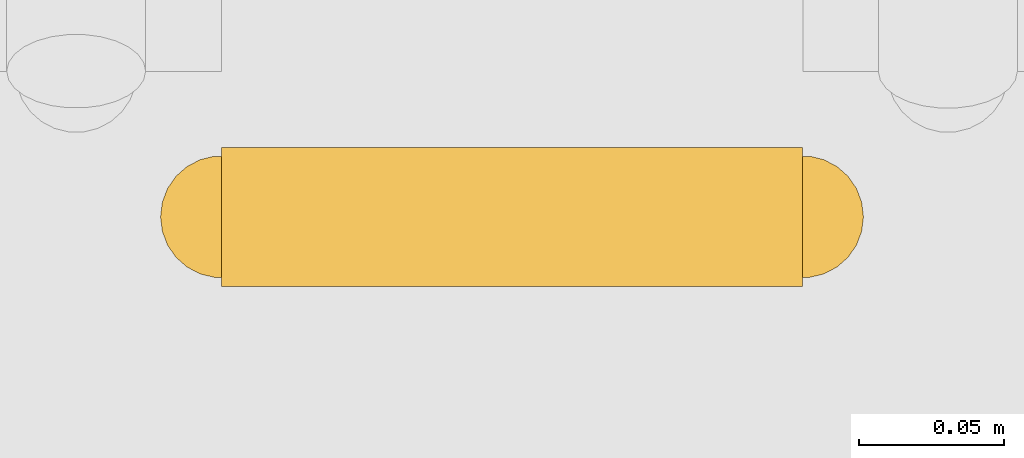
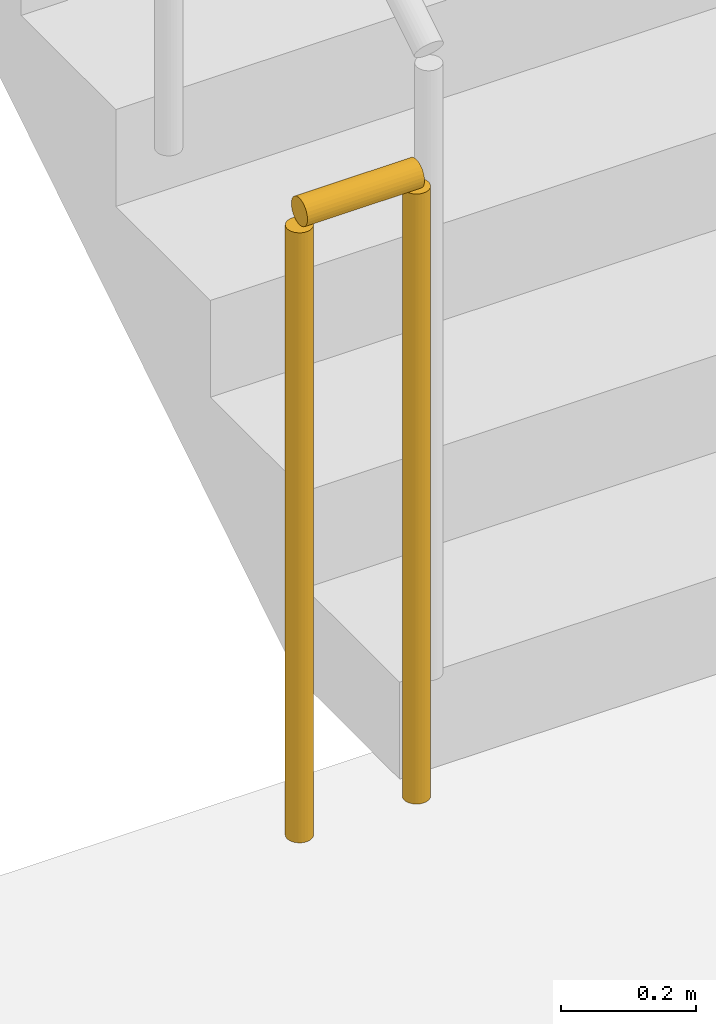
# One storey, part 30 of 34: 1 railing.
"""IFC4 building model written with IfcOpenShell, lengths in metres."""

import ifcopenshell
import ifcopenshell.guid

model = None  # the IFC model being written
_history = None  # IfcOwnerHistory: only IFC2X3 demands one
_inside = {}  # id of a spatial element -> (the spatial element, [elements in it])
_under = {}  # id of a project, library or spatial element -> (it, [spatial elements below it])
_declared = {}  # id of a project -> (the project, [libraries it declares])
_typed = {}  # id of a type object -> (the type object, [elements of that type])
_made_of = {}  # id of a material, layer set ... -> (it, [elements and type objects made of it])


def new_model(schema):
    """Start an empty IFC model of exactly this schema.

    Asked for "IFC4X3", IfcOpenShell would pick the latest addendum, in which some entities
    have other attributes; the version numbers below select the first issue.
    IFC2X3 requires an IfcOwnerHistory on every rooted entity: one is made here for all.
    """
    global model, _history
    if schema == "IFC4X3":
        model = ifcopenshell.file(schema_version=(4, 3, 0, 0))
    else:
        model = ifcopenshell.file(schema=schema)
    _inside.clear()
    _under.clear()
    _declared.clear()
    _typed.clear()
    _made_of.clear()
    _history = None
    if model.schema == "IFC2X3":
        org = make("IfcOrganization", Name="unknown")
        user = make(
            "IfcPersonAndOrganization",
            ThePerson=make("IfcPerson", FamilyName="unknown"),
            TheOrganization=org,
        )
        app = make(
            "IfcApplication",
            ApplicationDeveloper=org,
            Version="unknown",
            ApplicationFullName="unknown",
            ApplicationIdentifier="unknown",
        )
        _history = make(
            "IfcOwnerHistory",
            OwningUser=user,
            OwningApplication=app,
            ChangeAction="ADDED",
            CreationDate=0,
        )
    return model


def make(cls, **values):
    """One entity of the class cls with the attributes given. An attribute that is None is left unset."""
    return model.create_entity(
        cls, **{name: value for name, value in values.items() if value is not None}
    )


def rooted(cls, **values):
    """An entity with a GlobalId (a new one), such as an element, a storey or a relation."""
    return make(cls, GlobalId=ifcopenshell.guid.new(), OwnerHistory=_history, **values)


def si_unit(unit_type, name, prefix=None):
    """IfcSIUnit, for example si_unit("LENGTHUNIT", "METRE", prefix="MILLI")."""
    return make("IfcSIUnit", UnitType=unit_type, Prefix=prefix, Name=name)


def assignment(units):
    """IfcUnitAssignment: the units of a project."""
    return None if units is None else make("IfcUnitAssignment", Units=units)


def point(xyz):
    """IfcCartesianPoint."""
    return None if xyz is None else make("IfcCartesianPoint", Coordinates=xyz)


def direction(xyz):
    """IfcDirection."""
    return None if xyz is None else make("IfcDirection", DirectionRatios=xyz)


def frame(location, z_axis=None, x_axis=None):
    """IfcAxis2Placement3D, a coordinate frame: its origin and axes. An axis left out is left unset."""
    return make(
        "IfcAxis2Placement3D",
        Location=point(location),
        Axis=direction(z_axis),
        RefDirection=direction(x_axis),
    )


def frame_2d(location, x_axis=None):
    """IfcAxis2Placement2D, a coordinate frame in the plane: its origin and x axis."""
    return make(
        "IfcAxis2Placement2D", Location=point(location), RefDirection=direction(x_axis)
    )


def origin():
    """The frame at (0, 0, 0) with its axes left unset."""
    return frame((0.0, 0.0, 0.0))


def origin_2d():
    """The frame at (0, 0) in the plane with its x axis left unset."""
    return frame_2d((0.0, 0.0))


def place(relative_to, where):
    """IfcLocalPlacement: puts the frame where relative to a parent placement (None: the world)."""
    return make(
        "IfcLocalPlacement", PlacementRelTo=relative_to, RelativePlacement=where
    )


def context(
    kind, dimensions, precision=None, world=None, true_north=None, identifier=None
):
    """IfcGeometricRepresentationContext, for example the 3D "Model" context."""
    return make(
        "IfcGeometricRepresentationContext",
        ContextIdentifier=identifier,
        ContextType=kind,
        CoordinateSpaceDimension=dimensions,
        Precision=precision,
        WorldCoordinateSystem=world,
        TrueNorth=true_north,
    )


def subcontext(parent, identifier, kind, view, scale=None):
    """IfcGeometricRepresentationSubContext, for example "Body" below "Model"."""
    return make(
        "IfcGeometricRepresentationSubContext",
        ContextIdentifier=identifier,
        ContextType=kind,
        ParentContext=parent,
        TargetScale=scale,
        TargetView=view,
    )


def project(units=None, contexts=None):
    """IfcProject with its units and contexts."""
    return rooted(
        "IfcProject",
        Name="project",
        RepresentationContexts=contexts,
        UnitsInContext=assignment(units),
    )


def spatial(cls, under=None, at=None, **own):
    """A site, building, storey or space (cls), placed at a placement, below another one or the project."""
    s = rooted(cls, ObjectPlacement=at, **own)
    if under is not None:
        _under.setdefault(under.id(), (under, []))[1].append(s)
    return s


def profile(cls, at=None, kind="AREA", **sizes):
    """A parametric profile (cls). Its sizes go by their IFC names, for example OverallWidth=200.0."""
    return make(cls, ProfileType=kind, Position=at, **sizes)


def circle(**sizes):
    """IfcCircleProfileDef."""
    return profile("IfcCircleProfileDef", **sizes)


def extrude(swept, where, along, depth):
    """IfcExtrudedAreaSolid: the profile swept, set in the frame where, extruded along a direction by depth."""
    return make(
        "IfcExtrudedAreaSolid",
        SweptArea=swept,
        Position=where,
        ExtrudedDirection=direction(along),
        Depth=depth,
    )


def shape(context_of_items, identifier, shape_type, items):
    """IfcShapeRepresentation: the items that make up one representation, for example the "Body"."""
    return make(
        "IfcShapeRepresentation",
        ContextOfItems=context_of_items,
        RepresentationIdentifier=identifier,
        RepresentationType=shape_type,
        Items=items,
    )


def source(mapping_origin, context_of_items, identifier, shape_type, items):
    """IfcRepresentationMap: a shape defined once, which mapped items show again and again."""
    return make(
        "IfcRepresentationMap",
        MappingOrigin=mapping_origin,
        MappedRepresentation=shape(context_of_items, identifier, shape_type, items),
    )


def transform(
    local_origin,
    x_axis=None,
    y_axis=None,
    z_axis=None,
    scale=None,
    scale2=None,
    scale3=None,
    uniform=True,
):
    """IfcCartesianTransformationOperator3D, or its non-uniform kind. x_axis, y_axis, z_axis: its Axis1, 2, 3."""
    if uniform:
        return make(
            "IfcCartesianTransformationOperator3D",
            Axis1=direction(x_axis),
            Axis2=direction(y_axis),
            LocalOrigin=point(local_origin),
            Scale=scale,
            Axis3=direction(z_axis),
        )
    return make(
        "IfcCartesianTransformationOperator3DnonUniform",
        Axis1=direction(x_axis),
        Axis2=direction(y_axis),
        LocalOrigin=point(local_origin),
        Scale=scale,
        Axis3=direction(z_axis),
        Scale2=scale2,
        Scale3=scale3,
    )


def mapped(mapping_source, mapping_target):
    """IfcMappedItem: shows the shape of a source again, moved by a transform."""
    return make(
        "IfcMappedItem", MappingSource=mapping_source, MappingTarget=mapping_target
    )


def material(Name=None, Category=None):
    """IfcMaterial."""
    return make("IfcMaterial", Name=Name, Category=Category)


def made_of(thing, what):
    """Note that an element or type object is made of a material, layer set ...; save() writes the relation."""
    if what is not None:
        _made_of.setdefault(what.id(), (what, []))[1].append(thing)
    return thing


def type_object(cls, material=None, **own):
    """A type object (cls), such as IfcWallType, which elements share."""
    return made_of(rooted(cls, **own), material)


def type_shapes(of_type, sources):
    """Give a type object the sources (RepresentationMaps) that its elements show as mapped items."""
    of_type.RepresentationMaps = sources


def element(
    cls,
    number,
    at=None,
    inside=None,
    cuts=None,
    type_object=None,
    material=None,
    context=None,
    identifier="Body",
    shape_type=None,
    held_by="IfcProductDefinitionShape",
    body=None,
    shapes=None,
    **own,
):
    """One element of the class cls, such as IfcWall. Its Tag is "e" and its number.

    at: its placement. inside: the storey or other place that contains it. cuts: it is an
    opening in that element (IfcRelVoidsElement). A single representation is given by context,
    identifier, shape_type and body (its items); several are given by shapes. held_by: the class
    of the entity that holds the representations. save() writes the other relations.
    """
    e = rooted(cls, Tag="e%d" % number, ObjectPlacement=at, **own)
    if body is not None:
        shapes = [shape(context, identifier, shape_type, body)]
    if shapes is not None:
        e.Representation = make(held_by, Representations=shapes)
    if inside is not None:
        _inside.setdefault(inside.id(), (inside, []))[1].append(e)
    if cuts is not None:
        rooted(
            "IfcRelVoidsElement", RelatingBuildingElement=cuts, RelatedOpeningElement=e
        )
    if type_object is not None:
        _typed.setdefault(type_object.id(), (type_object, []))[1].append(e)
    return made_of(e, material)


def aggregate(whole, parts):
    """IfcRelAggregates: a whole, such as a stair, and the parts it consists of."""
    return rooted("IfcRelAggregates", RelatingObject=whole, RelatedObjects=parts)


def save(model, path):
    """Write the relations noted so far, then the file.

    IfcRelAggregates (storeys below a building ...), IfcRelContainedInSpatialStructure (elements
    in a storey), IfcRelDefinesByType, IfcRelAssociatesMaterial and IfcRelDeclares: one each for
    every whole, place, type object, material and project.
    """
    for whole, parts in _under.values():
        aggregate(whole, parts)
    for where, things in _inside.values():
        rooted(
            "IfcRelContainedInSpatialStructure",
            RelatedElements=things,
            RelatingStructure=where,
        )
    for kind, things in _typed.values():
        rooted("IfcRelDefinesByType", RelatedObjects=things, RelatingType=kind)
    for what, things in _made_of.values():
        rooted("IfcRelAssociatesMaterial", RelatedObjects=things, RelatingMaterial=what)
    for by, libraries in _declared.values():
        rooted("IfcRelDeclares", RelatingContext=by, RelatedDefinitions=libraries)
    model.write(path)


model = new_model("IFC4")

# Units and contexts
model_context = context("Model", 3, precision=1e-05, world=origin(), true_north=direction((0.0, 1.0)))
body_context = subcontext(model_context, "Body", "Model", "MODEL_VIEW")
ifc_project = project(units=[si_unit("LENGTHUNIT", "METRE"), si_unit("AREAUNIT", "SQUARE_METRE"), si_unit("VOLUMEUNIT", "CUBIC_METRE"), si_unit("PLANEANGLEUNIT", "RADIAN"), si_unit("MASSUNIT", "GRAM", prefix="KILO")], contexts=[model_context])

# Site, building, storey
site_placement = place(None, origin())
site = spatial("IfcSite", under=ifc_project, at=site_placement, CompositionType="ELEMENT")
building_placement = place(site_placement, origin())
building = spatial("IfcBuilding", under=site, at=building_placement, Name="Haelvirn Gate Laboratories", CompositionType="ELEMENT")
storey_placement = place(building_placement, frame((0.0, 0.0, 297.60009765625)))
storey = spatial("IfcBuildingStorey", under=building, at=storey_placement, Name="L71", CompositionType="ELEMENT", Elevation=297.60009765625)

# Railing
ifc_material = material(Name="Galvanised steel SM355 & stainless top rail", Category="steel")
railing_type = type_object("IfcRailingType", Name="RL-GUARD-1150", PredefinedType="GUARDRAIL", material=ifc_material)
shared_shape = source(origin(), body_context, "Body", "SweptSolid", [
    extrude(circle(Radius=0.02392578125, at=origin_2d()), frame((0.0, 0.0, 1.1259765625), z_axis=(-1.0, 0.0, 0.0), x_axis=(0.0, -1.0, 0.0)), (0.0, 0.0, 1.0), 0.199951171875),
    extrude(circle(Radius=0.02099609375, at=origin_2d()), origin(), (0.0, 0.0, 1.0), 1.101806640625),
    extrude(circle(Radius=0.02099609375, at=origin_2d()), frame((-0.199951171875, 0.0, 0.0)), (0.0, 0.0, 1.0), 1.101806640625),
])
type_shapes(railing_type, [shared_shape])
railing_placement = place(storey_placement, frame((9.64990234375, 26.64990234375, 0.0)))
element("IfcRailing", 1, at=railing_placement, inside=storey, type_object=railing_type, Name="L71 ST1 stair guard 4", PredefinedType="GUARDRAIL", context=body_context, shape_type="MappedRepresentation", body=[
    mapped(shared_shape, transform((0.0, 0.0, 0.0), scale=1.0)),
])

save(model, "model.ifc")
